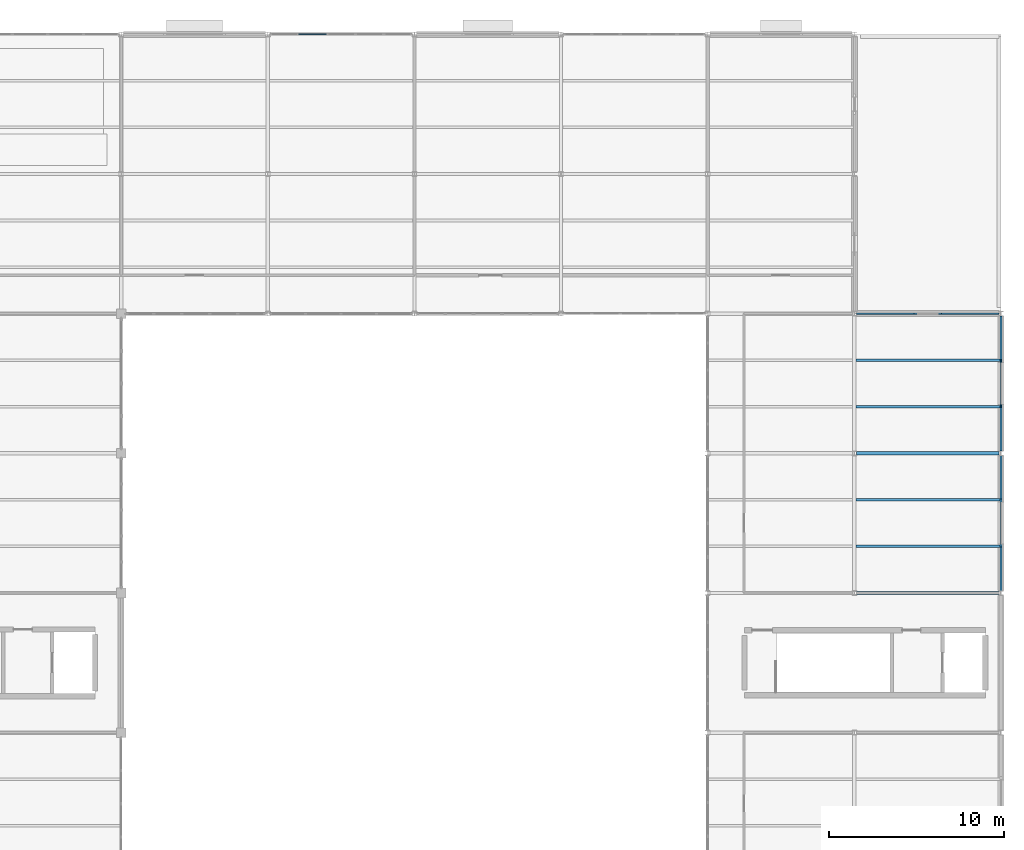
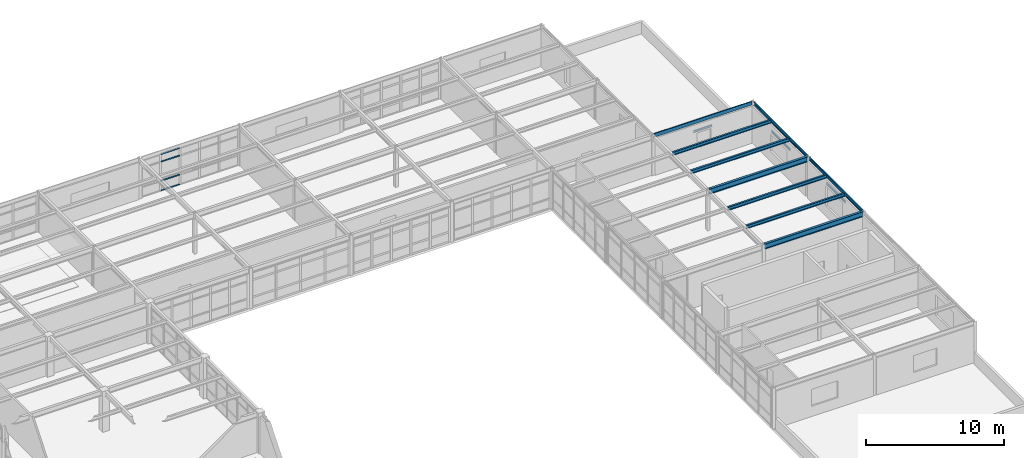
# One storey, part 30 of 53: 12 beams, 4 members, 1 element without a shape of its own.
"""IFC4 building model written with IfcOpenShell, lengths in metres."""

from ifc_helpers import new_model, si_unit, direction, frame, origin, origin_2d, place, context, subcontext, project, spatial, rectangle, i_section, u_section, extrude, material, layer, layer_set, material_profile, profile_set, type_object, element, aggregate, save


model = new_model("IFC4")

# Units and contexts
model_context = context("Model", 3, precision=1e-05, world=origin(), true_north=direction((0.0, 1.0)))
body_context = subcontext(model_context, "Body", "Model", "MODEL_VIEW")
ifc_project = project(units=[si_unit("LENGTHUNIT", "METRE"), si_unit("AREAUNIT", "SQUARE_METRE"), si_unit("VOLUMEUNIT", "CUBIC_METRE"), si_unit("PLANEANGLEUNIT", "RADIAN"), si_unit("MASSUNIT", "GRAM", prefix="KILO")], contexts=[model_context])

# Site, building, storey
site_placement = place(None, origin())
site = spatial("IfcSite", under=ifc_project, at=site_placement, CompositionType="ELEMENT")
building_placement = place(site_placement, origin())
building = spatial("IfcBuilding", under=site, at=building_placement, Name="Kranzveld Transit Interchange", CompositionType="ELEMENT")
storey_placement = place(building_placement, frame((0.0, 0.0, 13.360107421875)))
storey = spatial("IfcBuildingStorey", under=building, at=storey_placement, Name="L03", CompositionType="ELEMENT", Elevation=13.360107421875)

# Beams
ifc_material_1 = material(Name="Steel S355JR", Category="steel")
ifc_material_profile_1 = material_profile(ifc_material_1, i_section(OverallWidth=0.1904296875, OverallDepth=0.45703125, WebThickness=0.009033203125, FlangeThickness=0.014404296875, FilletRadius=0.01025390625, at=origin_2d()), Name="UB 457x191x74")
ifc_profile_set_1 = profile_set([ifc_material_profile_1], Name="Steel S355JR")
beam_type_1 = type_object("IfcBeamType", Name="Beam Steel UB 457x191x74 S355JR", PredefinedType="BEAM", material=ifc_profile_set_1)
for number, where, z_axis, x_axis, name in (
    (1, (159.718017578125, 80.0, 3.351318359375), (1.0, 0.0, 0.0), (0.0, 1.0, 0.0), "L03 Girder 20-21/L"),
    (2, (159.718017578125, 88.0, 3.351318359375), (1.0, 0.0, 0.0), (0.0, 1.0, 0.0), "L03 Girder 20-21/M"),
):
    element("IfcBeam", number, at=place(storey_placement, frame(where, z_axis=z_axis, x_axis=x_axis)), inside=storey, type_object=beam_type_1, Name=name, PredefinedType="BEAM", context=body_context, shape_type="SweptSolid", body=[
        extrude(i_section(OverallWidth=0.1904296875, OverallDepth=0.45703125, WebThickness=0.009033203125, FlangeThickness=0.014404296875, FilletRadius=0.01025390625, at=origin_2d()), origin(), (0.0, 0.0, 1.0), 8.163818359375),
    ])

# Curtain wall, members
ifc_material_2 = material(Name="Bronze-anodised thermally broken aluminium", Category="aluminium")
ifc_layer = layer(ifc_material_2, 0.14990234375)
ifc_layer_set = layer_set([ifc_layer], Name="Bronze-anodised thermally broken aluminium")
curtain_wall_type = type_object("IfcCurtainWallType", Name="Public Passage Clerestory Screen CW-4", PredefinedType="USERDEFINED", material=ifc_layer_set)
curtain_wall_placement = place(storey_placement, origin())
curtain_wall = element("IfcCurtainWall", 3, at=curtain_wall_placement, inside=storey, type_object=curtain_wall_type, Name="L03 Curtain Wall 16/Q-17/Q", ObjectType="CURTAIN WALL", PredefinedType="USERDEFINED")
ifc_material_3 = material(Name="Bronze-anodised thermally broken aluminium", Category="aluminium")
ifc_material_profile_2 = material_profile(ifc_material_3, rectangle(XDim=0.06005859375, YDim=0.110107421875, at=origin_2d()), Name="ALU TRANSOM 60x110")
ifc_profile_set_2 = profile_set([ifc_material_profile_2], Name="Bronze-anodised thermally broken aluminium")
member_type = type_object("IfcMemberType", Name="Curtain Wall Transom 60x110 Alu", PredefinedType="USERDEFINED", material=ifc_profile_set_2)
member_1_placement = place(storey_placement, frame((127.786865234375, 112.0, 0.02978515625), z_axis=(1.0, 0.0, 0.0), x_axis=(0.0, 1.0, 0.0)))
member_1 = element("IfcMember", 4, at=member_1_placement, type_object=member_type, Name="CW-4 transom 2.1", ObjectType="TRANSOM", PredefinedType="USERDEFINED", context=body_context, shape_type="SweptSolid", body=[
    extrude(rectangle(XDim=0.06005859375, YDim=0.110107421875, at=origin_2d()), origin(), (0.0, 0.0, 1.0), 1.56884765625),
])
member_2_placement = place(storey_placement, frame((127.786865234375, 112.0, 0.89990234375), z_axis=(1.0, 0.0, 0.0), x_axis=(0.0, 1.0, 0.0)))
member_2 = element("IfcMember", 5, at=member_2_placement, type_object=member_type, Name="CW-4 transom 2.2", ObjectType="TRANSOM", PredefinedType="USERDEFINED", context=body_context, shape_type="SweptSolid", body=[
    extrude(rectangle(XDim=0.06005859375, YDim=0.110107421875, at=origin_2d()), origin(), (0.0, 0.0, 1.0), 1.56884765625),
])
member_3_placement = place(storey_placement, frame((127.786865234375, 112.0, 2.579833984375), z_axis=(1.0, 0.0, 0.0), x_axis=(0.0, 1.0, 0.0)))
member_3 = element("IfcMember", 6, at=member_3_placement, type_object=member_type, Name="CW-4 transom 2.3", ObjectType="TRANSOM", PredefinedType="USERDEFINED", context=body_context, shape_type="SweptSolid", body=[
    extrude(rectangle(XDim=0.06005859375, YDim=0.110107421875, at=origin_2d()), origin(), (0.0, 0.0, 1.0), 1.56884765625),
])
member_4_placement = place(storey_placement, frame((127.786865234375, 112.0, 3.25), z_axis=(1.0, 0.0, 0.0), x_axis=(0.0, 1.0, 0.0)))
member_4 = element("IfcMember", 7, at=member_4_placement, type_object=member_type, Name="CW-4 transom 2.4", ObjectType="TRANSOM", PredefinedType="USERDEFINED", context=body_context, shape_type="SweptSolid", body=[
    extrude(rectangle(XDim=0.06005859375, YDim=0.110107421875, at=origin_2d()), origin(), (0.0, 0.0, 1.0), 1.56884765625),
])
aggregate(curtain_wall, [member_1, member_2, member_3, member_4])

# Beams
ifc_material_4 = material(Name="Steel S355JR", Category="steel")
ifc_material_profile_3 = material_profile(ifc_material_4, i_section(OverallWidth=0.14990234375, OverallDepth=0.300048828125, WebThickness=0.007080078125, FlangeThickness=0.0107421875, FilletRadius=0.014892578125, at=origin_2d()), Name="IPE 300")
ifc_profile_set_3 = profile_set([ifc_material_profile_3], Name="Steel S355JR")
beam_type_2 = type_object("IfcBeamType", Name="Deck Joist IPE 300 S355JR", PredefinedType="JOIST", material=ifc_profile_set_3)
for number, where, z_axis, x_axis, name in (
    (8, (159.697021484375, 82.666748046875, 3.429931640625), (1.0, 0.0, 0.0), (0.0, 1.0, 0.0), "L03 Secondary Joist 20-21/L.1"),
    (9, (159.697021484375, 85.333251953125, 3.429931640625), (1.0, 0.0, 0.0), (0.0, 1.0, 0.0), "L03 Secondary Joist 20-21/L.2"),
    (10, (159.697021484375, 90.666748046875, 3.429931640625), (1.0, 0.0, 0.0), (0.0, 1.0, 0.0), "L03 Secondary Joist 20-21/M.1"),
    (11, (159.697021484375, 93.333251953125, 3.429931640625), (1.0, 0.0, 0.0), (0.0, 1.0, 0.0), "L03 Secondary Joist 20-21/M.2"),
):
    element("IfcBeam", number, at=place(storey_placement, frame(where, z_axis=z_axis, x_axis=x_axis)), inside=storey, type_object=beam_type_2, Name=name, PredefinedType="JOIST", context=body_context, shape_type="SweptSolid", body=[
        extrude(i_section(OverallWidth=0.14990234375, OverallDepth=0.300048828125, WebThickness=0.007080078125, FlangeThickness=0.0107421875, FilletRadius=0.014892578125, at=origin_2d()), origin(), (0.0, 0.0, 1.0), 8.255859375),
    ])
ifc_material_5 = material(Name="Steel S355JR", Category="steel")
ifc_material_profile_4 = material_profile(ifc_material_5, u_section(Depth=0.300048828125, FlangeWidth=0.090087890625, WebThickness=0.009033203125, FlangeThickness=0.015380859375, FilletRadius=0.011962890625, at=origin_2d()), Name="PFC 300x90x41")
ifc_profile_set_4 = profile_set([ifc_material_profile_4], Name="Steel S355JR")
beam_type_3 = type_object("IfcBeamType", Name="Edge Spandrel PFC 300x90x41 S355JR", PredefinedType="SPANDREL", material=ifc_profile_set_4)
beam_1_placement = place(storey_placement, frame((159.718017578125, 96.0, 3.429931640625), z_axis=(1.0, 0.0, 0.0), x_axis=(0.0, 1.0, 0.0)))
element("IfcBeam", 12, at=beam_1_placement, inside=storey, type_object=beam_type_3, Name="L03 Girder 20-21/N", PredefinedType="SPANDREL", context=body_context, shape_type="SweptSolid", body=[
    extrude(u_section(Depth=0.300048828125, FlangeWidth=0.090087890625, WebThickness=0.009033203125, FlangeThickness=0.015380859375, FilletRadius=0.011962890625, at=origin_2d()), origin(), (0.0, 0.0, 1.0), 8.163818359375),
])
for number, where, z_axis, x_axis, name in (
    (13, (168.0, 80.1201171875, 3.429931640625), (0.0, 1.0, 0.0), (-1.0, 0.0, 0.0), "L03 Girder 21/L-M"),
    (14, (168.0, 88.1201171875, 3.429931640625), (0.0, 1.0, 0.0), (-1.0, 0.0, 0.0), "L03 Girder 21/M-N"),
):
    element("IfcBeam", number, at=place(storey_placement, frame(where, z_axis=z_axis, x_axis=x_axis)), inside=storey, type_object=beam_type_3, Name=name, PredefinedType="SPANDREL", context=body_context, shape_type="SweptSolid", body=[
        extrude(u_section(Depth=0.300048828125, FlangeWidth=0.090087890625, WebThickness=0.009033203125, FlangeThickness=0.015380859375, FilletRadius=0.011962890625, at=origin_2d()), origin(), (0.0, 0.0, 1.0), 7.759765625),
    ])
ifc_material_6 = material(Name="Steel S355JR", Category="steel")
ifc_material_profile_5 = material_profile(ifc_material_6, u_section(Depth=0.199951171875, FlangeWidth=0.074951171875, WebThickness=0.006103515625, FlangeThickness=0.012451171875, FilletRadius=0.011962890625, at=origin_2d()), Name="PFC 200x75x23")
ifc_profile_set_5 = profile_set([ifc_material_profile_5], Name="Steel S355JR")
beam_type_4 = type_object("IfcBeamType", Name="Masonry Lintel PFC 200x75x23 S355JR", PredefinedType="LINTEL", material=ifc_profile_set_5)
beam_2_placement = place(storey_placement, frame((168.0, 90.6201171875, 2.5048828125), z_axis=(0.0, 1.0, 0.0), x_axis=(-1.0, 0.0, 0.0)))
element("IfcBeam", 15, at=beam_2_placement, inside=storey, type_object=beam_type_4, Name="L03 Window Lintel 188", PredefinedType="LINTEL", context=body_context, shape_type="SweptSolid", body=[
    extrude(u_section(Depth=0.199951171875, FlangeWidth=0.074951171875, WebThickness=0.006103515625, FlangeThickness=0.012451171875, FilletRadius=0.011962890625, at=origin_2d()), origin(), (0.0, 0.0, 1.0), 2.759765625),
])
ifc_material_7 = material(Name="Steel S355JR", Category="steel")
ifc_material_profile_6 = material_profile(ifc_material_7, i_section(OverallWidth=0.091064453125, OverallDepth=0.179931640625, WebThickness=0.00537109375, FlangeThickness=0.008056640625, FilletRadius=0.009033203125, at=origin_2d()), Name="IPE 180")
ifc_profile_set_6 = profile_set([ifc_material_profile_6], Name="Steel S355JR")
beam_type_5 = type_object("IfcBeamType", Name="Opening Lintel IPE 180 S355JR", PredefinedType="LINTEL", material=ifc_profile_set_6)
beam_3_placement = place(storey_placement, frame((168.0, 82.6201171875, 2.744873046875), z_axis=(0.0, 1.0, 0.0), x_axis=(-1.0, 0.0, 0.0)))
element("IfcBeam", 16, at=beam_3_placement, inside=storey, type_object=beam_type_5, Name="L03 Window Lintel 187", PredefinedType="LINTEL", context=body_context, shape_type="SweptSolid", body=[
    extrude(i_section(OverallWidth=0.091064453125, OverallDepth=0.179931640625, WebThickness=0.00537109375, FlangeThickness=0.008056640625, FilletRadius=0.009033203125, at=origin_2d()), origin(), (0.0, 0.0, 1.0), 2.759765625),
])
beam_4_placement = place(storey_placement, frame((163.02001953125, 96.0, 2.594970703125), z_axis=(1.0, 0.0, 0.0), x_axis=(0.0, 1.0, 0.0)))
element("IfcBeam", 17, at=beam_4_placement, inside=storey, type_object=beam_type_5, Name="L03 Window Lintel 199", PredefinedType="LINTEL", context=body_context, shape_type="SweptSolid", body=[
    extrude(i_section(OverallWidth=0.091064453125, OverallDepth=0.179931640625, WebThickness=0.00537109375, FlangeThickness=0.008056640625, FilletRadius=0.009033203125, at=origin_2d()), origin(), (0.0, 0.0, 1.0), 1.56005859375),
])

save(model, "model.ifc")
